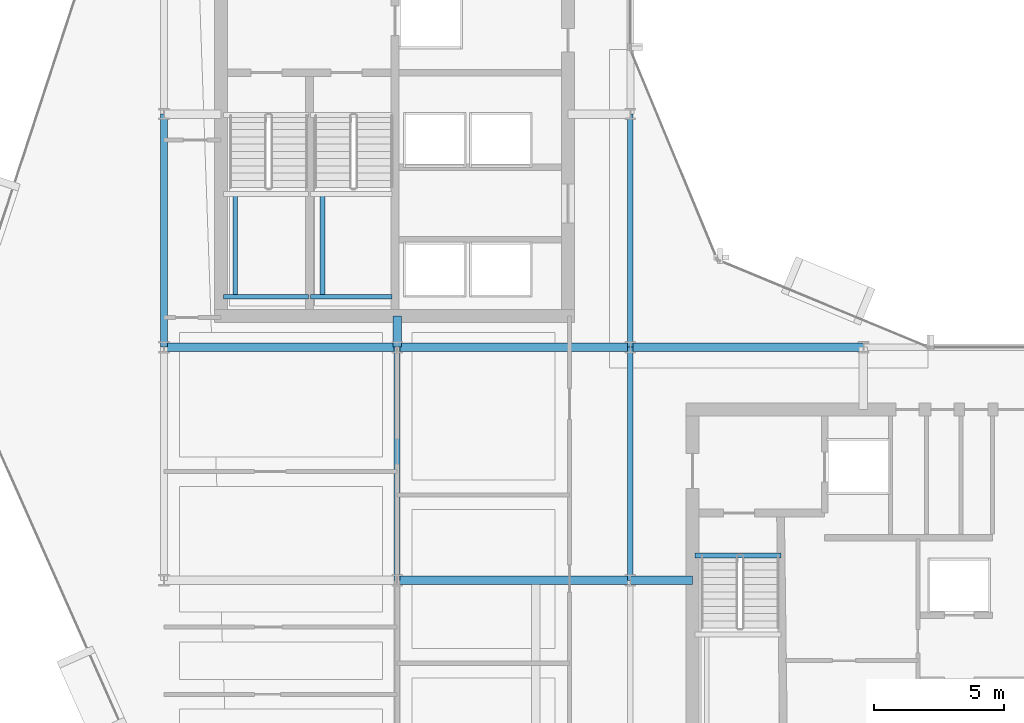
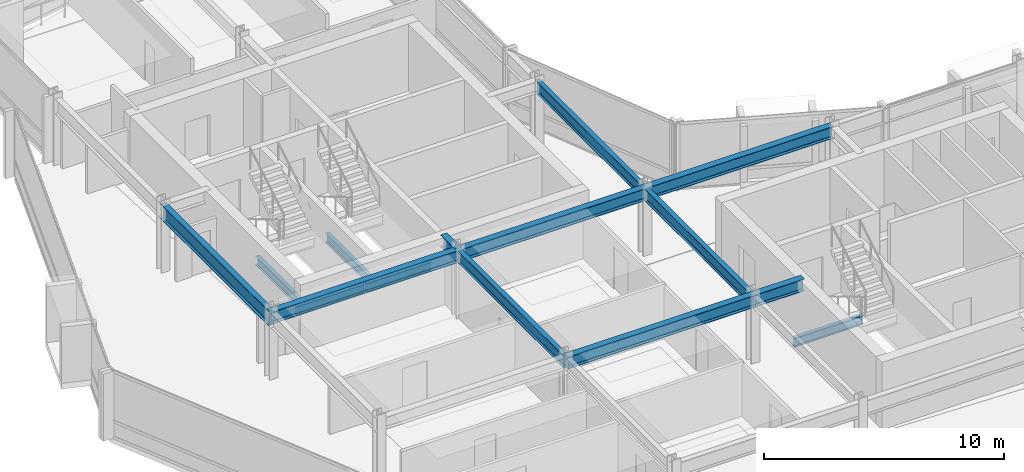
# One storey, part 7 of 29: 15 beams.
"""IFC4 building model written with IfcOpenShell, lengths in metres."""

from ifc_helpers import new_model, si_unit, direction, frame, origin, origin_2d, place, context, subcontext, project, spatial, i_section, extrude, material, material_profile, profile_set, type_object, element, save


model = new_model("IFC4")

# Units and contexts
model_context = context("Model", 3, precision=1e-05, world=origin(), true_north=direction((0.0, 1.0)))
body_context = subcontext(model_context, "Body", "Model", "MODEL_VIEW")
ifc_project = project(units=[si_unit("LENGTHUNIT", "METRE"), si_unit("AREAUNIT", "SQUARE_METRE"), si_unit("VOLUMEUNIT", "CUBIC_METRE"), si_unit("PLANEANGLEUNIT", "RADIAN"), si_unit("MASSUNIT", "GRAM", prefix="KILO")], contexts=[model_context])

# Site, building, storey
site_placement = place(None, origin())
site = spatial("IfcSite", under=ifc_project, at=site_placement, CompositionType="ELEMENT")
building_placement = place(site_placement, origin())
building = spatial("IfcBuilding", under=site, at=building_placement, Name="Solvaryn Broadcast Tower", CompositionType="ELEMENT")
storey_placement = place(building_placement, frame((0.0, 0.0, 161.800048828125)))
storey = spatial("IfcBuildingStorey", under=building, at=storey_placement, Name="L40", CompositionType="ELEMENT", Elevation=161.800048828125)

# Beams
ifc_material_1 = material(Name="Steel ASTM A992 Grade 50", Category="steel")
ifc_material_profile_1 = material_profile(ifc_material_1, i_section(OverallWidth=0.323974609375, OverallDepth=0.611083984375, WebThickness=0.0126953125, FlangeThickness=0.01904296875, FilletRadius=0.014892578125, at=origin_2d()))
ifc_profile_set_1 = profile_set([ifc_material_profile_1], Name="Steel ASTM A992 Grade 50")
beam_type_1 = type_object("IfcBeamType", Name="BM-B1-W24X104", PredefinedType="BEAM", material=ifc_profile_set_1)
for number, where, z_axis, x_axis, name in (
    (1, (18.0, 18.0, 3.114501953125), (1.0, 0.0, 0.0), (0.0, 1.0, 0.0), "L40 Primary Beam X (18-27 @ Y=18)"),
    (2, (9.0, 27.0, 3.114501953125), (1.0, 0.0, 0.0), (0.0, 1.0, 0.0), "L40 Primary Beam X (9-18 @ Y=27)"),
    (3, (18.0, 27.0, 3.114501953125), (1.0, 0.0, 0.0), (0.0, 1.0, 0.0), "L40 Primary Beam X (18-27 @ Y=27)"),
    (4, (27.0, 27.0, 3.114501953125), (1.0, 0.0, 0.0), (0.0, 1.0, 0.0), "L40 Primary Beam X (27-36 @ Y=27)"),
):
    element("IfcBeam", number, at=place(storey_placement, frame(where, z_axis=z_axis, x_axis=x_axis)), inside=storey, type_object=beam_type_1, Name=name, PredefinedType="BEAM", context=body_context, shape_type="SweptSolid", body=[
        extrude(i_section(OverallWidth=0.323974609375, OverallDepth=0.611083984375, WebThickness=0.0126953125, FlangeThickness=0.01904296875, FilletRadius=0.014892578125, at=origin_2d()), origin(), (0.0, 0.0, 1.0), 9.0),
    ])
beam_1_placement = place(storey_placement, frame((18.0, 27.0, 3.114501953125), z_axis=(0.0, 1.0, 0.0), x_axis=(-1.0, 0.0, 0.0)))
element("IfcBeam", 5, at=beam_1_placement, inside=storey, type_object=beam_type_1, Name="L40 Core Tie Beam CTW4", PredefinedType="BEAM", context=body_context, shape_type="SweptSolid", body=[
    extrude(i_section(OverallWidth=0.323974609375, OverallDepth=0.611083984375, WebThickness=0.0126953125, FlangeThickness=0.01904296875, FilletRadius=0.014892578125, at=origin_2d()), origin(), (0.0, 0.0, 1.0), 1.199951171875),
])
beam_2_placement = place(storey_placement, frame((27.0, 18.0, 3.114501953125), z_axis=(1.0, 0.0, 0.0), x_axis=(0.0, 1.0, 0.0)))
element("IfcBeam", 6, at=beam_2_placement, inside=storey, type_object=beam_type_1, Name="L40 Core Tie Beam CTE4", PredefinedType="BEAM", context=body_context, shape_type="SweptSolid", body=[
    extrude(i_section(OverallWidth=0.323974609375, OverallDepth=0.611083984375, WebThickness=0.0126953125, FlangeThickness=0.01904296875, FilletRadius=0.014892578125, at=origin_2d()), origin(), (0.0, 0.0, 1.0), 2.39990234375),
])
ifc_material_2 = material(Name="Steel ASTM A992 Grade 50", Category="steel")
ifc_material_profile_2 = material_profile(ifc_material_2, i_section(OverallWidth=0.22802734375, OverallDepth=0.60791015625, WebThickness=0.01123046875, FlangeThickness=0.017333984375, FilletRadius=0.014892578125, at=origin_2d()))
ifc_profile_set_2 = profile_set([ifc_material_profile_2], Name="Steel ASTM A992 Grade 50")
beam_type_2 = type_object("IfcBeamType", Name="BM-B2-W24X76", PredefinedType="BEAM", material=ifc_profile_set_2)
for number, where, z_axis, x_axis, name in (
    (7, (18.0, 18.0, 3.115966796875), (0.0, 1.0, 0.0), (-1.0, 0.0, 0.0), "L40 Primary Beam Y (18-27 @ X=18)"),
    (8, (27.0, 18.0, 3.115966796875), (0.0, 1.0, 0.0), (-1.0, 0.0, 0.0), "L40 Primary Beam Y (18-27 @ X=27)"),
    (9, (27.0, 27.0, 3.115966796875), (0.0, 1.0, 0.0), (-1.0, 0.0, 0.0), "L40 Primary Beam Y (27-36 @ X=27)"),
):
    element("IfcBeam", number, at=place(storey_placement, frame(where, z_axis=z_axis, x_axis=x_axis)), inside=storey, type_object=beam_type_2, Name=name, PredefinedType="BEAM", context=body_context, shape_type="SweptSolid", body=[
        extrude(i_section(OverallWidth=0.22802734375, OverallDepth=0.60791015625, WebThickness=0.01123046875, FlangeThickness=0.017333984375, FilletRadius=0.014892578125, at=origin_2d()), origin(), (0.0, 0.0, 1.0), 9.0),
    ])
ifc_material_3 = material(Name="Steel ASTM A992 Grade 50", Category="steel")
ifc_material_profile_3 = material_profile(ifc_material_3, i_section(OverallWidth=0.18994140625, OverallDepth=0.45703125, WebThickness=0.009033203125, FlangeThickness=0.014404296875, FilletRadius=0.011962890625, at=origin_2d()))
ifc_profile_set_3 = profile_set([ifc_material_profile_3], Name="Steel ASTM A992 Grade 50")
beam_type_3 = type_object("IfcBeamType", Name="BM-B4-W18X50", PredefinedType="BEAM", material=ifc_profile_set_3)
beam_3_placement = place(storey_placement, frame((11.300048828125, 28.949951171875, 1.42138671875), z_axis=(1.0, 0.0, 0.0), x_axis=(0.0, 1.0, 0.0)))
element("IfcBeam", 10, at=beam_3_placement, inside=storey, type_object=beam_type_3, Name="L40 ST1 Landing Support Beam 1A", PredefinedType="BEAM", context=body_context, shape_type="SweptSolid", body=[
    extrude(i_section(OverallWidth=0.18994140625, OverallDepth=0.45703125, WebThickness=0.009033203125, FlangeThickness=0.014404296875, FilletRadius=0.011962890625, at=origin_2d()), origin(), (0.0, 0.0, 1.0), 3.280029296875),
])
beam_4_placement = place(storey_placement, frame((11.75, 28.949951171875, 1.42138671875), z_axis=(0.0, 1.0, 0.0), x_axis=(-1.0, 0.0, 0.0)))
element("IfcBeam", 11, at=beam_4_placement, inside=storey, type_object=beam_type_3, Name="L40 ST1 Landing Cross Stringer 1C", PredefinedType="BEAM", context=body_context, shape_type="SweptSolid", body=[
    extrude(i_section(OverallWidth=0.18994140625, OverallDepth=0.45703125, WebThickness=0.009033203125, FlangeThickness=0.014404296875, FilletRadius=0.011962890625, at=origin_2d()), origin(), (0.0, 0.0, 1.0), 3.9599609375),
])
beam_5_placement = place(storey_placement, frame((14.659912109375, 28.949951171875, 1.42138671875), z_axis=(1.0, 0.0, 0.0), x_axis=(0.0, 1.0, 0.0)))
element("IfcBeam", 12, at=beam_5_placement, inside=storey, type_object=beam_type_3, Name="L40 ST2 Landing Support Beam 1A", PredefinedType="BEAM", context=body_context, shape_type="SweptSolid", body=[
    extrude(i_section(OverallWidth=0.18994140625, OverallDepth=0.45703125, WebThickness=0.009033203125, FlangeThickness=0.014404296875, FilletRadius=0.011962890625, at=origin_2d()), origin(), (0.0, 0.0, 1.0), 3.14013671875),
])
beam_6_placement = place(storey_placement, frame((15.110107421875, 28.949951171875, 1.42138671875), z_axis=(0.0, 1.0, 0.0), x_axis=(-1.0, 0.0, 0.0)))
element("IfcBeam", 13, at=beam_6_placement, inside=storey, type_object=beam_type_3, Name="L40 ST2 Landing Cross Stringer 1C", PredefinedType="BEAM", context=body_context, shape_type="SweptSolid", body=[
    extrude(i_section(OverallWidth=0.18994140625, OverallDepth=0.45703125, WebThickness=0.009033203125, FlangeThickness=0.014404296875, FilletRadius=0.011962890625, at=origin_2d()), origin(), (0.0, 0.0, 1.0), 3.9599609375),
])
beam_7_placement = place(storey_placement, frame((29.5, 18.9599609375, -0.508544921875), z_axis=(1.0, 0.0, 0.0), x_axis=(0.0, 1.0, 0.0)))
element("IfcBeam", 14, at=beam_7_placement, inside=storey, type_object=beam_type_3, Name="L40 ST3 Stair Well Trimmer Beam", PredefinedType="BEAM", context=body_context, shape_type="SweptSolid", body=[
    extrude(i_section(OverallWidth=0.18994140625, OverallDepth=0.45703125, WebThickness=0.009033203125, FlangeThickness=0.014404296875, FilletRadius=0.011962890625, at=origin_2d()), origin(), (0.0, 0.0, 1.0), 3.320068359375),
])
ifc_material_4 = material(Name="Steel ASTM A992 Grade 50", Category="steel")
ifc_material_profile_4 = material_profile(ifc_material_4, i_section(OverallWidth=0.26708984375, OverallDepth=0.76611328125, WebThickness=0.014892578125, FlangeThickness=0.023681640625, FilletRadius=0.01806640625, at=origin_2d()))
ifc_profile_set_4 = profile_set([ifc_material_profile_4], Name="Steel ASTM A992 Grade 50")
beam_type_4 = type_object("IfcBeamType", Name="BM-SP2-W30X124", PredefinedType="USERDEFINED", material=ifc_profile_set_4)
beam_8_placement = place(storey_placement, frame((9.0, 27.0, 3.036865234375), z_axis=(0.0, 1.0, 0.0), x_axis=(-1.0, 0.0, 0.0)))
element("IfcBeam", 15, at=beam_8_placement, inside=storey, type_object=beam_type_4, Name="L40 Spandrel Beam Y (27-36 @ X=9)", ObjectType="SPANDREL", PredefinedType="USERDEFINED", context=body_context, shape_type="SweptSolid", body=[
    extrude(i_section(OverallWidth=0.26708984375, OverallDepth=0.76611328125, WebThickness=0.014892578125, FlangeThickness=0.023681640625, FilletRadius=0.01806640625, at=origin_2d()), origin(), (0.0, 0.0, 1.0), 9.0),
])

save(model, "model.ifc")
